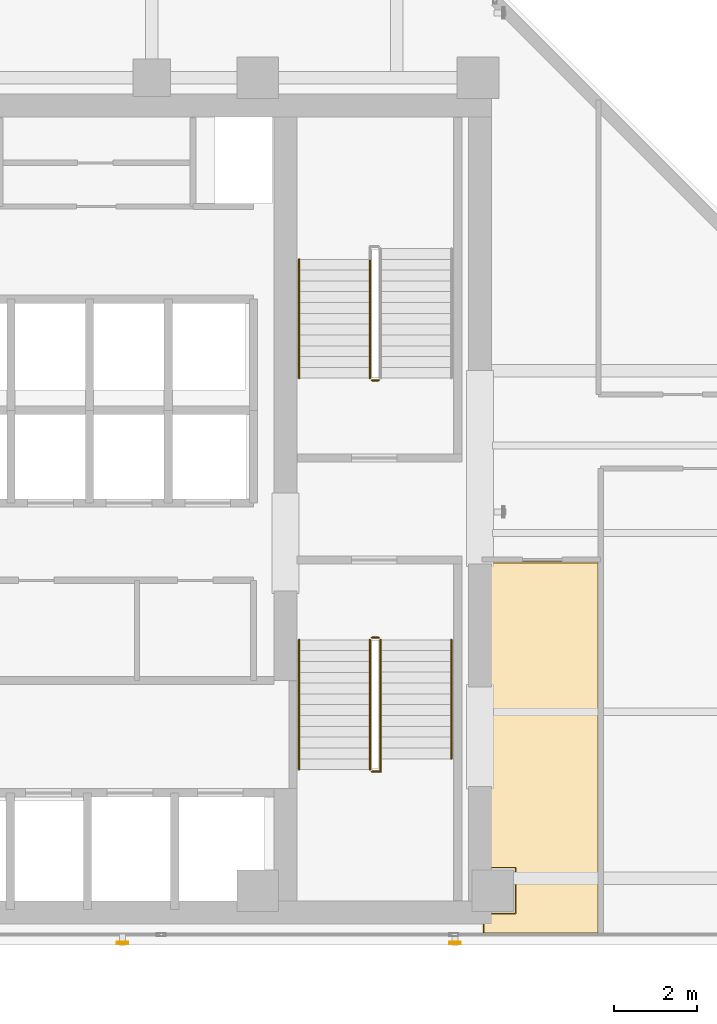
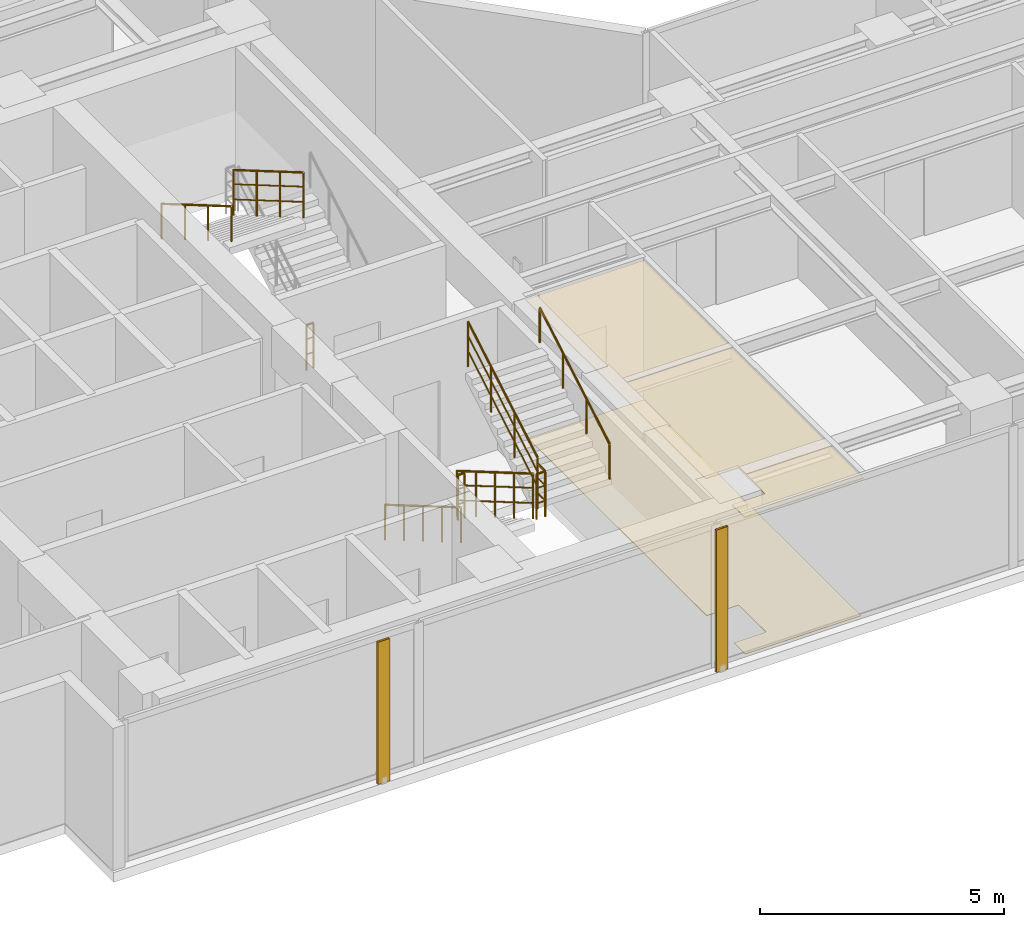
# One storey, part 20 of 24: 9 railings, 2 coverings, 2 shading devices.
"""IFC4 building model written with IfcOpenShell, lengths in metres."""

from ifc_helpers import new_model, si_unit, direction, frame, origin, origin_2d, place, context, subcontext, project, spatial, polyline, hollow_rectangle, circle, outline, extrude, material, layer, layer_set, material_profile, profile_set, type_object, element, save


model = new_model("IFC4")

# Units and contexts
model_context = context("Model", 3, precision=1e-05, world=origin(), true_north=direction((0.0, 1.0)))
body_context = subcontext(model_context, "Body", "Model", "MODEL_VIEW")
ifc_project = project(units=[si_unit("LENGTHUNIT", "METRE"), si_unit("AREAUNIT", "SQUARE_METRE"), si_unit("VOLUMEUNIT", "CUBIC_METRE"), si_unit("PLANEANGLEUNIT", "RADIAN"), si_unit("MASSUNIT", "GRAM", prefix="KILO")], contexts=[model_context])

# Site, building, storey
site_placement = place(None, origin())
site = spatial("IfcSite", under=ifc_project, at=site_placement, CompositionType="ELEMENT")
building_placement = place(site_placement, origin())
building = spatial("IfcBuilding", under=site, at=building_placement, Name="Kolvaren Waterfront Exchange", CompositionType="ELEMENT")
storey_placement = place(building_placement, frame((0.0, 0.0, 208.300048828125)))
storey = spatial("IfcBuildingStorey", under=building, at=storey_placement, Name="L53", CompositionType="ELEMENT", Elevation=208.300048828125)

# Covering
ifc_material_1 = material(Name="Mineral fibre acoustic ceiling tile")
ifc_layer_1 = layer(ifc_material_1, 0.02490234375, Name="Mineral fibre acoustic ceiling tile")
ifc_layer_set_1 = layer_set([ifc_layer_1], Name="Mineral fibre acoustic ceiling tile")
covering_type_1 = type_object("IfcCoveringType", Name="ARC-CEIL-ACOUSTIC-25", PredefinedType="CEILING", material=ifc_layer_set_1)
covering_1_placement = place(storey_placement, frame((0.0, 0.0, 3.445068359375)))
element("IfcCovering", 1, at=covering_1_placement, inside=storey, type_object=covering_type_1, Name="L53 acoustic suspended ceiling 3", PredefinedType="CEILING", context=body_context, shape_type="SweptSolid", body=[
    extrude(outline(polyline([(20.864990234375, 5.43994140625), (21.639892578125, 5.43994140625), (21.639892578125, 4.360107421875), (20.864990234375, 4.360107421875), (20.864990234375, 3.844970703125), (23.675048828125, 3.844970703125), (23.675048828125, 12.81494140625), (20.864990234375, 12.81494140625), (20.864990234375, 5.43994140625)])), origin(), (0.0, 0.0, 1.0), 0.02490234375),
])

# Shading devices
ifc_material_2 = material(Name="Anodised bronze aluminium 6063-T6", Category="aluminium")
ifc_material_profile = material_profile(ifc_material_2, hollow_rectangle(XDim=0.054931640625, YDim=0.280029296875, WallThickness=0.00439453125, at=origin_2d()), Name="BRZ-FIN-280x55x4.5")
ifc_profile_set = profile_set([ifc_material_profile], Name="Anodised bronze aluminium 6063-T6")
shading_device_type = type_object("IfcShadingDeviceType", Name="ARC-FIN-280", PredefinedType="USERDEFINED", material=ifc_profile_set)
for number, where, z_axis, x_axis, name in (
    (2, (12.199951171875, 3.639892578125, 0.0), (0.0, 0.0, 1.0), (0.0, -1.0, 0.0), "L53 anodised bronze solar shading fin FIN-L53-S1"),
    (3, (20.199951171875, 3.639892578125, 0.0), (0.0, 0.0, 1.0), (0.0, -1.0, 0.0), "L53 anodised bronze solar shading fin FIN-L53-S2"),
):
    element("IfcShadingDevice", number, at=place(storey_placement, frame(where, z_axis=z_axis, x_axis=x_axis)), inside=storey, type_object=shading_device_type, Name=name, ObjectType="SOLAR FIN", PredefinedType="USERDEFINED", context=body_context, shape_type="SweptSolid", body=[
        extrude(hollow_rectangle(XDim=0.054931640625, YDim=0.280029296875, WallThickness=0.00439453125, at=origin_2d()), origin(), (0.0, 0.0, 1.0), 3.56005859375),
    ])

# Covering
ifc_material_3 = material(Name="Slip-resistant porcelain tile")
ifc_layer_2 = layer(ifc_material_3, 0.014892578125, Name="Slip-resistant porcelain tile")
ifc_layer_set_2 = layer_set([ifc_layer_2], Name="Slip-resistant porcelain tile")
covering_type_2 = type_object("IfcCoveringType", Name="ARC-FLR-PORC-15", PredefinedType="FLOORING", material=ifc_layer_set_2)
covering_2_placement = place(storey_placement, origin())
element("IfcCovering", 4, at=covering_2_placement, inside=storey, type_object=covering_type_2, Name="L53 floor finish 3", PredefinedType="FLOORING", context=body_context, shape_type="SweptSolid", body=[
    extrude(outline(polyline([(20.89990234375, 4.340087890625), (20.89990234375, 3.8798828125), (23.639892578125, 3.8798828125), (23.639892578125, 12.780029296875), (20.89990234375, 12.780029296875), (20.89990234375, 5.4599609375), (21.659912109375, 5.4599609375), (21.659912109375, 4.340087890625), (20.89990234375, 4.340087890625)])), origin(), (0.0, 0.0, 1.0), 0.014892578125),
])

# Railings
ifc_material_4 = material(Name="Stainless steel 316", Category="steel")
railing_type_1 = type_object("IfcRailingType", Name="ARC-GUARD-STAIR", PredefinedType="GUARDRAIL", material=ifc_material_4)
railing_1_placement = place(storey_placement, frame((18.14990234375, 10.929931640625, 0.15185546875)))
element("IfcRailing", 5, at=railing_1_placement, inside=storey, type_object=railing_type_1, Name="L53 ST1 stair guard 1", PredefinedType="GUARDRAIL", context=body_context, shape_type="SweptSolid", body=[
    extrude(circle(Radius=0.02392578125, at=origin_2d()), frame((0.0, 0.0, 1.1259765625), z_axis=(0.0, -0.86329090724, 0.504706656858), x_axis=(1.0, 0.0, 0.0)), (0.0, 0.0, 1.0), 3.614013671875),
    extrude(circle(Radius=0.01611328125, at=origin_2d()), frame((0.0, 0.0, 0.390869140625), z_axis=(0.0, -0.86329090724, 0.504706656858), x_axis=(1.0, 0.0, 0.0)), (0.0, 0.0, 1.0), 3.614013671875),
    extrude(circle(Radius=0.01611328125, at=origin_2d()), frame((0.0, 0.0, 0.7705078125), z_axis=(0.0, -0.86329090724, 0.504706656858), x_axis=(1.0, 0.0, 0.0)), (0.0, 0.0, 1.0), 3.614013671875),
    extrude(circle(Radius=0.02099609375, at=origin_2d()), origin(), (0.0, 0.0, 1.0), 1.101806640625),
    extrude(circle(Radius=0.02099609375, at=origin_2d()), frame((0.0, -0.780029296875, 0.4560546875)), (0.0, 0.0, 1.0), 1.101806640625),
    extrude(circle(Radius=0.02099609375, at=origin_2d()), frame((0.0, -1.56005859375, 0.912109375)), (0.0, 0.0, 1.0), 1.101806640625),
    extrude(circle(Radius=0.02099609375, at=origin_2d()), frame((0.0, -2.33984375, 1.367919921875)), (0.0, 0.0, 1.0), 1.101806640625),
    extrude(circle(Radius=0.02099609375, at=origin_2d()), frame((0.0, -3.119873046875, 1.823974609375)), (0.0, 0.0, 1.0), 1.101806640625),
])
railing_2_placement = place(storey_placement, frame((18.199951171875, 7.760009765625, 1.975830078125)))
element("IfcRailing", 6, at=railing_2_placement, inside=storey, type_object=railing_type_1, Name="L53 ST1 stair guard 2", PredefinedType="GUARDRAIL", context=body_context, shape_type="SweptSolid", body=[
    extrude(circle(Radius=0.02392578125, at=origin_2d()), frame((0.0, 0.0, 1.1259765625), z_axis=(1.0, 0.0, 0.0), x_axis=(0.0, 1.0, 0.0)), (0.0, 0.0, 1.0), 0.2099609375),
    extrude(circle(Radius=0.01611328125, at=origin_2d()), frame((0.0, 0.0, 0.390869140625), z_axis=(1.0, 0.0, 0.0), x_axis=(0.0, 1.0, 0.0)), (0.0, 0.0, 1.0), 0.2099609375),
    extrude(circle(Radius=0.01611328125, at=origin_2d()), frame((0.0, 0.0, 0.7705078125), z_axis=(1.0, 0.0, 0.0), x_axis=(0.0, 1.0, 0.0)), (0.0, 0.0, 1.0), 0.2099609375),
    extrude(circle(Radius=0.02392578125, at=origin_2d()), frame((0.2099609375, 0.0, 1.1259765625), z_axis=(0.0, 1.0, 0.0), x_axis=(-1.0, 0.0, 0.0)), (0.0, 0.0, 1.0), 0.31005859375),
    extrude(circle(Radius=0.01611328125, at=origin_2d()), frame((0.2099609375, 0.0, 0.390869140625), z_axis=(0.0, 1.0, 0.0), x_axis=(-1.0, 0.0, 0.0)), (0.0, 0.0, 1.0), 0.31005859375),
    extrude(circle(Radius=0.01611328125, at=origin_2d()), frame((0.2099609375, 0.0, 0.7705078125), z_axis=(0.0, 1.0, 0.0), x_axis=(-1.0, 0.0, 0.0)), (0.0, 0.0, 1.0), 0.31005859375),
    extrude(circle(Radius=0.02099609375, at=origin_2d()), origin(), (0.0, 0.0, 1.0), 1.101806640625),
    extrude(circle(Radius=0.02099609375, at=origin_2d()), frame((0.2099609375, 0.0, 0.0)), (0.0, 0.0, 1.0), 1.101806640625),
    extrude(circle(Radius=0.02099609375, at=origin_2d()), frame((0.2099609375, 0.31005859375, 0.0)), (0.0, 0.0, 1.0), 1.101806640625),
])
railing_3_placement = place(storey_placement, frame((18.409912109375, 8.070068359375, 2.1279296875)))
element("IfcRailing", 7, at=railing_3_placement, inside=storey, type_object=railing_type_1, Name="L53 ST1 stair guard 3", PredefinedType="GUARDRAIL", context=body_context, shape_type="SweptSolid", body=[
    extrude(circle(Radius=0.02392578125, at=origin_2d()), frame((0.0, 0.0, 1.1259765625), z_axis=(0.0, 0.863270611444, 0.50474137082), x_axis=(-1.0, 0.0, 0.0)), (0.0, 0.0, 1.0), 3.312744140625),
    extrude(circle(Radius=0.01611328125, at=origin_2d()), frame((0.0, 0.0, 0.390869140625), z_axis=(0.0, 0.863270611444, 0.50474137082), x_axis=(-1.0, 0.0, 0.0)), (0.0, 0.0, 1.0), 3.312744140625),
    extrude(circle(Radius=0.01611328125, at=origin_2d()), frame((0.0, 0.0, 0.7705078125), z_axis=(0.0, 0.863270611444, 0.50474137082), x_axis=(-1.0, 0.0, 0.0)), (0.0, 0.0, 1.0), 3.312744140625),
    extrude(circle(Radius=0.02099609375, at=origin_2d()), origin(), (0.0, 0.0, 1.0), 1.101806640625),
    extrude(circle(Radius=0.02099609375, at=origin_2d()), frame((0.0, 0.953369140625, 0.557373046875)), (0.0, 0.0, 1.0), 1.101806640625),
    extrude(circle(Radius=0.02099609375, at=origin_2d()), frame((0.0, 1.906494140625, 1.11474609375)), (0.0, 0.0, 1.0), 1.101806640625),
    extrude(circle(Radius=0.02099609375, at=origin_2d()), frame((0.0, 2.85986328125, 1.672119140625)), (0.0, 0.0, 1.0), 1.101806640625),
])
railing_4_placement = place(storey_placement, frame((18.199951171875, 10.97998046875, 0.0)))
element("IfcRailing", 8, at=railing_4_placement, inside=storey, type_object=railing_type_1, Name="L53 ST1 stair guard 4", PredefinedType="GUARDRAIL", context=body_context, shape_type="SweptSolid", body=[
    extrude(circle(Radius=0.02392578125, at=origin_2d()), frame((0.0, 0.0, 1.1259765625), z_axis=(1.0, 0.0, 0.0), x_axis=(0.0, 1.0, 0.0)), (0.0, 0.0, 1.0), 0.16015625),
    extrude(circle(Radius=0.01611328125, at=origin_2d()), frame((0.0, 0.0, 0.390869140625), z_axis=(1.0, 0.0, 0.0), x_axis=(0.0, 1.0, 0.0)), (0.0, 0.0, 1.0), 0.16015625),
    extrude(circle(Radius=0.01611328125, at=origin_2d()), frame((0.0, 0.0, 0.7705078125), z_axis=(1.0, 0.0, 0.0), x_axis=(0.0, 1.0, 0.0)), (0.0, 0.0, 1.0), 0.16015625),
    extrude(circle(Radius=0.02099609375, at=origin_2d()), origin(), (0.0, 0.0, 1.0), 1.101806640625),
    extrude(circle(Radius=0.02099609375, at=origin_2d()), frame((0.16015625, 0.0, 0.0)), (0.0, 0.0, 1.0), 1.101806640625),
])
railing_5_placement = place(storey_placement, frame((18.14990234375, 20.080078125, 2.1279296875)))
element("IfcRailing", 9, at=railing_5_placement, inside=storey, type_object=railing_type_1, Name="L53 ST2 stair guard 3", PredefinedType="GUARDRAIL", context=body_context, shape_type="SweptSolid", body=[
    extrude(circle(Radius=0.02392578125, at=origin_2d()), frame((0.0, 0.0, 1.1259765625), z_axis=(0.0, -0.863289384635, 0.504709261235), x_axis=(1.0, 0.0, 0.0)), (0.0, 0.0, 1.0), 3.31298828125),
    extrude(circle(Radius=0.01611328125, at=origin_2d()), frame((0.0, 0.0, 0.390869140625), z_axis=(0.0, -0.863289384635, 0.504709261235), x_axis=(1.0, 0.0, 0.0)), (0.0, 0.0, 1.0), 3.31298828125),
    extrude(circle(Radius=0.01611328125, at=origin_2d()), frame((0.0, 0.0, 0.7705078125), z_axis=(0.0, -0.863289384635, 0.504709261235), x_axis=(1.0, 0.0, 0.0)), (0.0, 0.0, 1.0), 3.31298828125),
    extrude(circle(Radius=0.02099609375, at=origin_2d()), origin(), (0.0, 0.0, 1.0), 1.101806640625),
    extrude(circle(Radius=0.02099609375, at=origin_2d()), frame((0.0, -0.953369140625, 0.557373046875)), (0.0, 0.0, 1.0), 1.101806640625),
    extrude(circle(Radius=0.02099609375, at=origin_2d()), frame((0.0, -1.90673828125, 1.11474609375)), (0.0, 0.0, 1.0), 1.101806640625),
    extrude(circle(Radius=0.02099609375, at=origin_2d()), frame((0.0, -2.860107421875, 1.672119140625)), (0.0, 0.0, 1.0), 1.101806640625),
])
railing_6_placement = place(storey_placement, frame((18.360107421875, 17.169921875, 0.0)))
element("IfcRailing", 10, at=railing_6_placement, inside=storey, type_object=railing_type_1, Name="L53 ST2 stair guard 4", PredefinedType="GUARDRAIL", context=body_context, shape_type="SweptSolid", body=[
    extrude(circle(Radius=0.02392578125, at=origin_2d()), frame((0.0, 0.0, 1.1259765625), z_axis=(-1.0, 0.0, 0.0), x_axis=(0.0, -1.0, 0.0)), (0.0, 0.0, 1.0), 0.16015625),
    extrude(circle(Radius=0.01611328125, at=origin_2d()), frame((0.0, 0.0, 0.390869140625), z_axis=(-1.0, 0.0, 0.0), x_axis=(0.0, -1.0, 0.0)), (0.0, 0.0, 1.0), 0.16015625),
    extrude(circle(Radius=0.01611328125, at=origin_2d()), frame((0.0, 0.0, 0.7705078125), z_axis=(-1.0, 0.0, 0.0), x_axis=(0.0, -1.0, 0.0)), (0.0, 0.0, 1.0), 0.16015625),
    extrude(circle(Radius=0.02099609375, at=origin_2d()), origin(), (0.0, 0.0, 1.0), 1.101806640625),
    extrude(circle(Radius=0.02099609375, at=origin_2d()), frame((-0.16015625, 0.0, 0.0)), (0.0, 0.0, 1.0), 1.101806640625),
])
railing_type_2 = type_object("IfcRailingType", Name="ARC-HANDRAIL-900", PredefinedType="HANDRAIL", material=ifc_material_4)
railing_7_placement = place(storey_placement, frame((16.449951171875, 10.929931640625, 0.15185546875)))
element("IfcRailing", 11, at=railing_7_placement, inside=storey, type_object=railing_type_2, Name="L53 ST1 stair handrail 1", PredefinedType="HANDRAIL", context=body_context, shape_type="SweptSolid", body=[
    extrude(circle(Radius=0.02392578125, at=origin_2d()), frame((0.0, 0.0, 0.8759765625), z_axis=(0.0, -0.86329090724, 0.504706656858), x_axis=(1.0, 0.0, 0.0)), (0.0, 0.0, 1.0), 3.614013671875),
    extrude(circle(Radius=0.02099609375, at=origin_2d()), origin(), (0.0, 0.0, 1.0), 0.851806640625),
    extrude(circle(Radius=0.02099609375, at=origin_2d()), frame((0.0, -0.780029296875, 0.4560546875)), (0.0, 0.0, 1.0), 0.851806640625),
    extrude(circle(Radius=0.02099609375, at=origin_2d()), frame((0.0, -1.56005859375, 0.912109375)), (0.0, 0.0, 1.0), 0.851806640625),
    extrude(circle(Radius=0.02099609375, at=origin_2d()), frame((0.0, -2.33984375, 1.367919921875)), (0.0, 0.0, 1.0), 0.851806640625),
    extrude(circle(Radius=0.02099609375, at=origin_2d()), frame((0.0, -3.119873046875, 1.823974609375)), (0.0, 0.0, 1.0), 0.851806640625),
])
railing_8_placement = place(storey_placement, frame((20.110107421875, 8.070068359375, 2.1279296875)))
element("IfcRailing", 12, at=railing_8_placement, inside=storey, type_object=railing_type_2, Name="L53 ST1 stair handrail 2", PredefinedType="HANDRAIL", context=body_context, shape_type="SweptSolid", body=[
    extrude(circle(Radius=0.02392578125, at=origin_2d()), frame((0.0, 0.0, 0.8759765625), z_axis=(0.0, 0.863270611444, 0.50474137082), x_axis=(-1.0, 0.0, 0.0)), (0.0, 0.0, 1.0), 3.312744140625),
    extrude(circle(Radius=0.02099609375, at=origin_2d()), origin(), (0.0, 0.0, 1.0), 0.851806640625),
    extrude(circle(Radius=0.02099609375, at=origin_2d()), frame((0.0, 0.953369140625, 0.557373046875)), (0.0, 0.0, 1.0), 0.851806640625),
    extrude(circle(Radius=0.02099609375, at=origin_2d()), frame((0.0, 1.906494140625, 1.11474609375)), (0.0, 0.0, 1.0), 0.851806640625),
    extrude(circle(Radius=0.02099609375, at=origin_2d()), frame((0.0, 2.85986328125, 1.672119140625)), (0.0, 0.0, 1.0), 0.851806640625),
])
railing_9_placement = place(storey_placement, frame((16.449951171875, 20.080078125, 2.1279296875)))
element("IfcRailing", 13, at=railing_9_placement, inside=storey, type_object=railing_type_2, Name="L53 ST2 stair handrail 2", PredefinedType="HANDRAIL", context=body_context, shape_type="SweptSolid", body=[
    extrude(circle(Radius=0.02392578125, at=origin_2d()), frame((0.0, 0.0, 0.8759765625), z_axis=(0.0, -0.863289384635, 0.504709261235), x_axis=(1.0, 0.0, 0.0)), (0.0, 0.0, 1.0), 3.31298828125),
    extrude(circle(Radius=0.02099609375, at=origin_2d()), origin(), (0.0, 0.0, 1.0), 0.851806640625),
    extrude(circle(Radius=0.02099609375, at=origin_2d()), frame((0.0, -0.953369140625, 0.557373046875)), (0.0, 0.0, 1.0), 0.851806640625),
    extrude(circle(Radius=0.02099609375, at=origin_2d()), frame((0.0, -1.90673828125, 1.11474609375)), (0.0, 0.0, 1.0), 0.851806640625),
    extrude(circle(Radius=0.02099609375, at=origin_2d()), frame((0.0, -2.860107421875, 1.672119140625)), (0.0, 0.0, 1.0), 0.851806640625),
])

save(model, "model.ifc")
